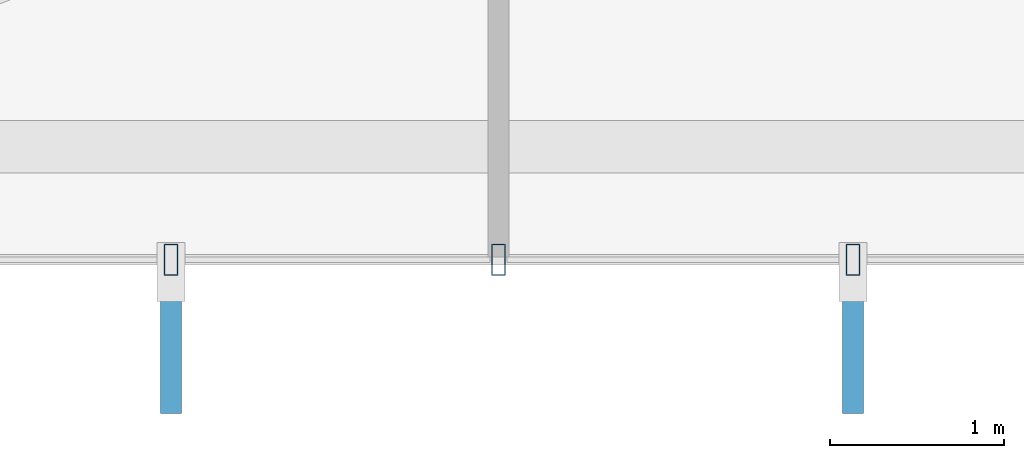
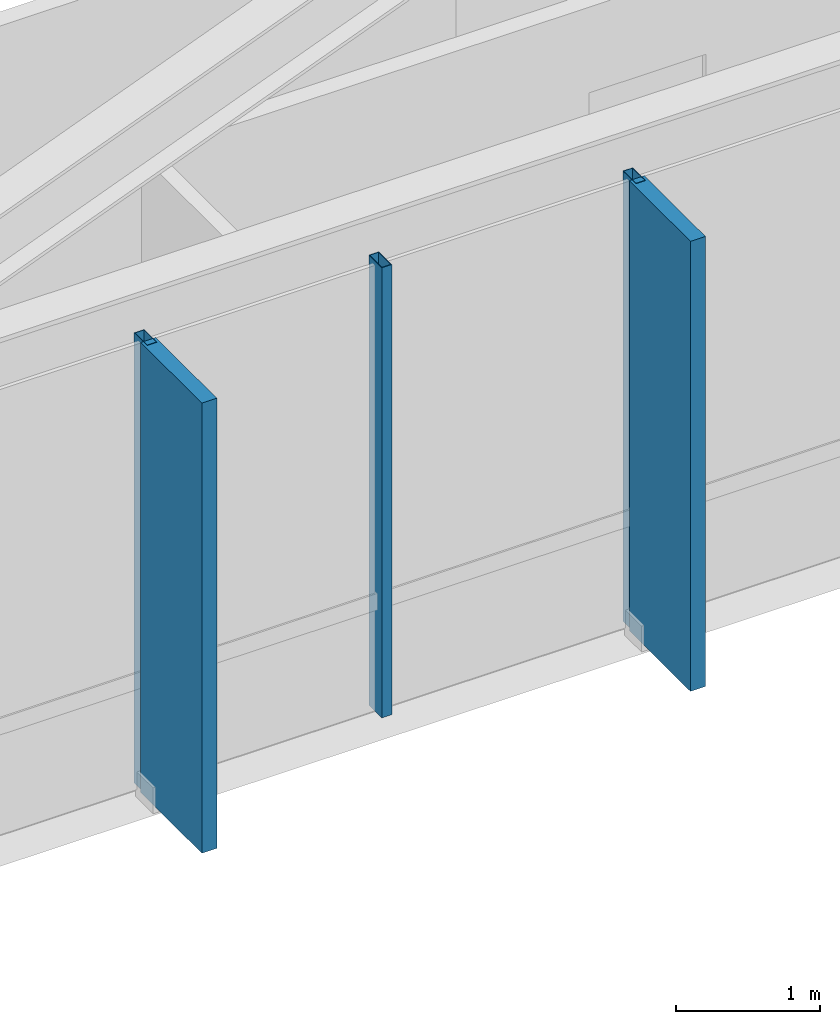
# One storey, part 6 of 25: 5 members, 1 element without a shape of its own.
"""IFC4 building model written with IfcOpenShell, lengths in metres."""

from ifc_helpers import new_model, si_unit, direction, frame, origin, origin_2d, place, context, subcontext, project, spatial, rectangle, hollow_rectangle, extrude, material, layer, layer_set, material_profile, profile_set, type_object, element, aggregate, save


model = new_model("IFC4")

# Units and contexts
model_context = context("Model", 3, precision=1e-05, world=origin(), true_north=direction((0.0, 1.0)))
body_context = subcontext(model_context, "Body", "Model", "MODEL_VIEW")
ifc_project = project(units=[si_unit("LENGTHUNIT", "METRE"), si_unit("AREAUNIT", "SQUARE_METRE"), si_unit("VOLUMEUNIT", "CUBIC_METRE"), si_unit("PLANEANGLEUNIT", "RADIAN"), si_unit("MASSUNIT", "GRAM", prefix="KILO")], contexts=[model_context])

# Site, building, storey
site_placement = place(None, origin())
site = spatial("IfcSite", under=ifc_project, at=site_placement, CompositionType="ELEMENT")
building_placement = place(site_placement, origin())
building = spatial("IfcBuilding", under=site, at=building_placement, Name="Zarrinselat Tower", CompositionType="ELEMENT")
storey_placement = place(building_placement, frame((0.0, 0.0, 88.739990234375)))
storey = spatial("IfcBuildingStorey", under=building, at=storey_placement, Name="L21", CompositionType="ELEMENT", Elevation=88.739990234375)

# Curtain wall, members
ifc_material_1 = material(Name="Extruded Aluminium Alloy EN AW-6063 T6", Category="aluminium")
ifc_layer = layer(ifc_material_1, 0.18505859375)
ifc_layer_set = layer_set([ifc_layer], Name="Extruded Aluminium Alloy EN AW-6063 T6")
curtain_wall_type = type_object("IfcCurtainWallType", Name="CWS-OFF", PredefinedType="NOTDEFINED", material=ifc_layer_set)
curtain_wall_placement = place(storey_placement, origin())
curtain_wall = element("IfcCurtainWall", 1, at=curtain_wall_placement, inside=storey, type_object=curtain_wall_type, Name="L21 Unitised Curtain Wall CW-L21-E04", PredefinedType="NOTDEFINED")
ifc_material_2 = material(Name="Extruded Aluminium Alloy EN AW-6063 T6", Category="aluminium")
ifc_material_profile_1 = material_profile(ifc_material_2, hollow_rectangle(XDim=0.080078125, YDim=0.179931640625, WallThickness=0.0048828125, at=origin_2d()), Name="RHS 180x80x5")
ifc_profile_set_1 = profile_set([ifc_material_profile_1], Name="Extruded Aluminium Alloy EN AW-6063 T6")
member_type_1 = type_object("IfcMemberType", Name="MEM-CW-MUL", PredefinedType="MULLION", material=ifc_profile_set_1)
member_1_placement = place(storey_placement, frame((32.5166015625, 18.4599609375, 0.0), z_axis=(0.0, 0.0, 1.0), x_axis=(1.0, 0.0, 0.0)))
member_1 = element("IfcMember", 2, at=member_1_placement, type_object=member_type_1, Name="CW-L21-E04 Mullion 1", PredefinedType="MULLION", context=body_context, shape_type="SweptSolid", body=[
    extrude(hollow_rectangle(XDim=0.080078125, YDim=0.179931640625, WallThickness=0.0048828125, at=origin_2d()), origin(), (0.0, 0.0, 1.0), 3.820068359375),
])
member_2_placement = place(storey_placement, frame((34.39990234375, 18.4599609375, 0.0), z_axis=(0.0, 0.0, 1.0), x_axis=(1.0, 0.0, 0.0)))
member_2 = element("IfcMember", 3, at=member_2_placement, type_object=member_type_1, Name="CW-L21-E04 Mullion 2", PredefinedType="MULLION", context=body_context, shape_type="SweptSolid", body=[
    extrude(hollow_rectangle(XDim=0.080078125, YDim=0.179931640625, WallThickness=0.0048828125, at=origin_2d()), origin(), (0.0, 0.0, 1.0), 3.820068359375),
])
member_3_placement = place(storey_placement, frame((36.43896484375, 18.4599609375, 0.0), z_axis=(0.0, 0.0, 1.0), x_axis=(1.0, 0.0, 0.0)))
member_3 = element("IfcMember", 4, at=member_3_placement, type_object=member_type_1, Name="CW-L21-E04 Mullion 3", PredefinedType="MULLION", context=body_context, shape_type="SweptSolid", body=[
    extrude(hollow_rectangle(XDim=0.080078125, YDim=0.179931640625, WallThickness=0.0048828125, at=origin_2d()), origin(), (0.0, 0.0, 1.0), 3.820068359375),
])
ifc_material_3 = material(Name="Honed Cream Travertine Stone", Category="masonry")
ifc_material_profile_2 = material_profile(ifc_material_3, rectangle(XDim=0.1201171875, YDim=0.85009765625, at=origin_2d()), Name="FIN 850x120")
ifc_profile_set_2 = profile_set([ifc_material_profile_2], Name="Honed Cream Travertine Stone")
member_type_2 = type_object("IfcMemberType", Name="MEM-STONE-FIN", PredefinedType="USERDEFINED", material=ifc_profile_set_2)
member_4_placement = place(storey_placement, frame((32.5166015625, 18.0, 0.0), z_axis=(0.0, 0.0, 1.0), x_axis=(-1.0, 0.0, 0.0)))
member_4 = element("IfcMember", 5, at=member_4_placement, type_object=member_type_2, Name="L21 Stone Shading Fin CW-L21-E04-01", ObjectType="FIN", PredefinedType="USERDEFINED", context=body_context, shape_type="SweptSolid", body=[
    extrude(rectangle(XDim=0.1201171875, YDim=0.85009765625, at=origin_2d()), origin(), (0.0, 0.0, 1.0), 3.820068359375),
])
member_5_placement = place(storey_placement, frame((36.43896484375, 18.0, 0.0), z_axis=(0.0, 0.0, 1.0), x_axis=(-1.0, 0.0, 0.0)))
member_5 = element("IfcMember", 6, at=member_5_placement, type_object=member_type_2, Name="L21 Stone Shading Fin CW-L21-E04-03", ObjectType="FIN", PredefinedType="USERDEFINED", context=body_context, shape_type="SweptSolid", body=[
    extrude(rectangle(XDim=0.1201171875, YDim=0.85009765625, at=origin_2d()), origin(), (0.0, 0.0, 1.0), 3.820068359375),
])
aggregate(curtain_wall, [member_1, member_4, member_2, member_3, member_5])

save(model, "model.ifc")
